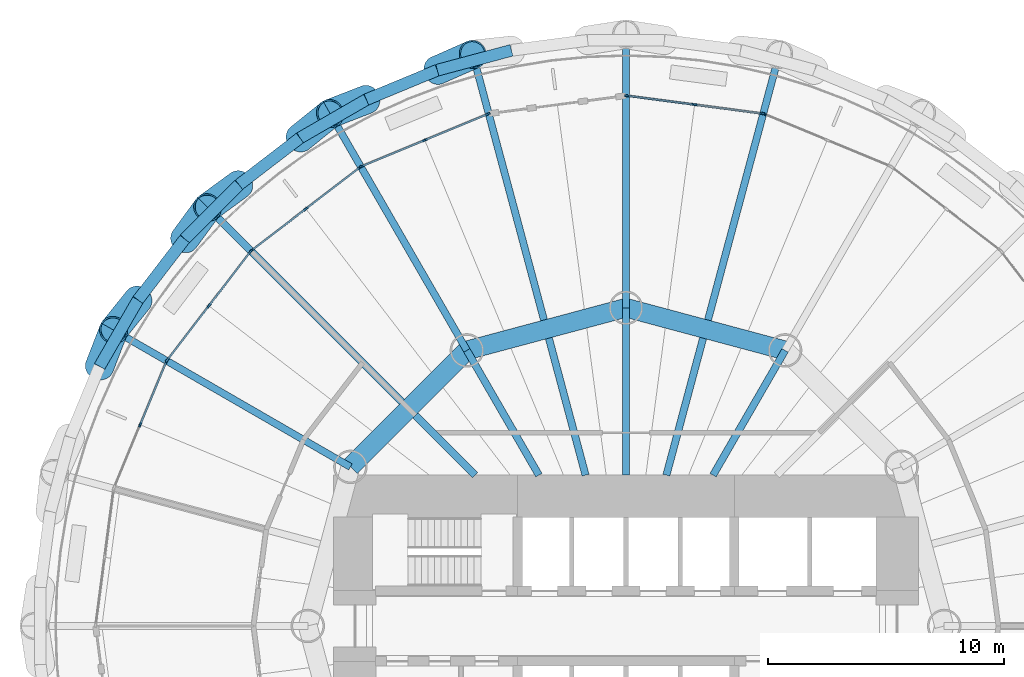
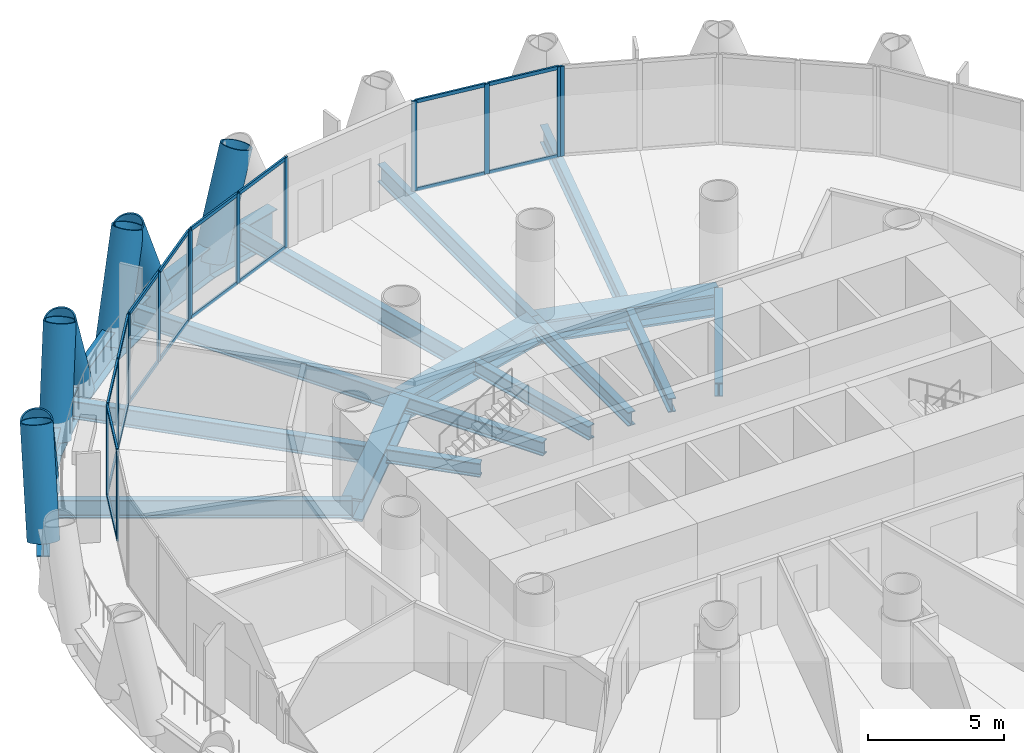
# One storey, part 6 of 16: 40 members, 22 beams, 6 elements without a shape of their own.
"""IFC4 building model written with IfcOpenShell, lengths in metres."""

import ifcopenshell
import ifcopenshell.guid

model = None  # the IFC model being written
_history = None  # IfcOwnerHistory: only IFC2X3 demands one
_inside = {}  # id of a spatial element -> (the spatial element, [elements in it])
_under = {}  # id of a project, library or spatial element -> (it, [spatial elements below it])
_declared = {}  # id of a project -> (the project, [libraries it declares])
_typed = {}  # id of a type object -> (the type object, [elements of that type])
_made_of = {}  # id of a material, layer set ... -> (it, [elements and type objects made of it])


def new_model(schema):
    """Start an empty IFC model of exactly this schema.

    Asked for "IFC4X3", IfcOpenShell would pick the latest addendum, in which some entities
    have other attributes; the version numbers below select the first issue.
    IFC2X3 requires an IfcOwnerHistory on every rooted entity: one is made here for all.
    """
    global model, _history
    if schema == "IFC4X3":
        model = ifcopenshell.file(schema_version=(4, 3, 0, 0))
    else:
        model = ifcopenshell.file(schema=schema)
    _inside.clear()
    _under.clear()
    _declared.clear()
    _typed.clear()
    _made_of.clear()
    _history = None
    if model.schema == "IFC2X3":
        org = make("IfcOrganization", Name="unknown")
        user = make(
            "IfcPersonAndOrganization",
            ThePerson=make("IfcPerson", FamilyName="unknown"),
            TheOrganization=org,
        )
        app = make(
            "IfcApplication",
            ApplicationDeveloper=org,
            Version="unknown",
            ApplicationFullName="unknown",
            ApplicationIdentifier="unknown",
        )
        _history = make(
            "IfcOwnerHistory",
            OwningUser=user,
            OwningApplication=app,
            ChangeAction="ADDED",
            CreationDate=0,
        )
    return model


def make(cls, **values):
    """One entity of the class cls with the attributes given. An attribute that is None is left unset."""
    return model.create_entity(
        cls, **{name: value for name, value in values.items() if value is not None}
    )


def rooted(cls, **values):
    """An entity with a GlobalId (a new one), such as an element, a storey or a relation."""
    return make(cls, GlobalId=ifcopenshell.guid.new(), OwnerHistory=_history, **values)


def si_unit(unit_type, name, prefix=None):
    """IfcSIUnit, for example si_unit("LENGTHUNIT", "METRE", prefix="MILLI")."""
    return make("IfcSIUnit", UnitType=unit_type, Prefix=prefix, Name=name)


def assignment(units):
    """IfcUnitAssignment: the units of a project."""
    return None if units is None else make("IfcUnitAssignment", Units=units)


def point(xyz):
    """IfcCartesianPoint."""
    return None if xyz is None else make("IfcCartesianPoint", Coordinates=xyz)


def direction(xyz):
    """IfcDirection."""
    return None if xyz is None else make("IfcDirection", DirectionRatios=xyz)


def frame(location, z_axis=None, x_axis=None):
    """IfcAxis2Placement3D, a coordinate frame: its origin and axes. An axis left out is left unset."""
    return make(
        "IfcAxis2Placement3D",
        Location=point(location),
        Axis=direction(z_axis),
        RefDirection=direction(x_axis),
    )


def frame_2d(location, x_axis=None):
    """IfcAxis2Placement2D, a coordinate frame in the plane: its origin and x axis."""
    return make(
        "IfcAxis2Placement2D", Location=point(location), RefDirection=direction(x_axis)
    )


def origin():
    """The frame at (0, 0, 0) with its axes left unset."""
    return frame((0.0, 0.0, 0.0))


def origin_2d():
    """The frame at (0, 0) in the plane with its x axis left unset."""
    return frame_2d((0.0, 0.0))


def place(relative_to, where):
    """IfcLocalPlacement: puts the frame where relative to a parent placement (None: the world)."""
    return make(
        "IfcLocalPlacement", PlacementRelTo=relative_to, RelativePlacement=where
    )


def context(
    kind, dimensions, precision=None, world=None, true_north=None, identifier=None
):
    """IfcGeometricRepresentationContext, for example the 3D "Model" context."""
    return make(
        "IfcGeometricRepresentationContext",
        ContextIdentifier=identifier,
        ContextType=kind,
        CoordinateSpaceDimension=dimensions,
        Precision=precision,
        WorldCoordinateSystem=world,
        TrueNorth=true_north,
    )


def subcontext(parent, identifier, kind, view, scale=None):
    """IfcGeometricRepresentationSubContext, for example "Body" below "Model"."""
    return make(
        "IfcGeometricRepresentationSubContext",
        ContextIdentifier=identifier,
        ContextType=kind,
        ParentContext=parent,
        TargetScale=scale,
        TargetView=view,
    )


def project(units=None, contexts=None):
    """IfcProject with its units and contexts."""
    return rooted(
        "IfcProject",
        Name="project",
        RepresentationContexts=contexts,
        UnitsInContext=assignment(units),
    )


def spatial(cls, under=None, at=None, **own):
    """A site, building, storey or space (cls), placed at a placement, below another one or the project."""
    s = rooted(cls, ObjectPlacement=at, **own)
    if under is not None:
        _under.setdefault(under.id(), (under, []))[1].append(s)
    return s


def profile(cls, at=None, kind="AREA", **sizes):
    """A parametric profile (cls). Its sizes go by their IFC names, for example OverallWidth=200.0."""
    return make(cls, ProfileType=kind, Position=at, **sizes)


def rectangle(**sizes):
    """IfcRectangleProfileDef."""
    return profile("IfcRectangleProfileDef", **sizes)


def hollow_circle(**sizes):
    """IfcCircleHollowProfileDef."""
    return profile("IfcCircleHollowProfileDef", **sizes)


def i_section(**sizes):
    """IfcIShapeProfileDef."""
    return profile("IfcIShapeProfileDef", **sizes)


def extrude(swept, where, along, depth):
    """IfcExtrudedAreaSolid: the profile swept, set in the frame where, extruded along a direction by depth."""
    return make(
        "IfcExtrudedAreaSolid",
        SweptArea=swept,
        Position=where,
        ExtrudedDirection=direction(along),
        Depth=depth,
    )


def shape(context_of_items, identifier, shape_type, items):
    """IfcShapeRepresentation: the items that make up one representation, for example the "Body"."""
    return make(
        "IfcShapeRepresentation",
        ContextOfItems=context_of_items,
        RepresentationIdentifier=identifier,
        RepresentationType=shape_type,
        Items=items,
    )


def material(Name=None, Category=None):
    """IfcMaterial."""
    return make("IfcMaterial", Name=Name, Category=Category)


def material_profile(
    of_material, cross_section, Name=None, Category=None, Priority=None
):
    """IfcMaterialProfile: a cross section and its material."""
    return make(
        "IfcMaterialProfile",
        Name=Name,
        Material=of_material,
        Profile=cross_section,
        Priority=Priority,
        Category=Category,
    )


def profile_set(profiles, Name=None, composite=None):
    """IfcMaterialProfileSet."""
    return make(
        "IfcMaterialProfileSet",
        Name=Name,
        MaterialProfiles=profiles,
        CompositeProfile=composite,
    )


def made_of(thing, what):
    """Note that an element or type object is made of a material, layer set ...; save() writes the relation."""
    if what is not None:
        _made_of.setdefault(what.id(), (what, []))[1].append(thing)
    return thing


def type_object(cls, material=None, **own):
    """A type object (cls), such as IfcWallType, which elements share."""
    return made_of(rooted(cls, **own), material)


def element(
    cls,
    number,
    at=None,
    inside=None,
    cuts=None,
    type_object=None,
    material=None,
    context=None,
    identifier="Body",
    shape_type=None,
    held_by="IfcProductDefinitionShape",
    body=None,
    shapes=None,
    **own,
):
    """One element of the class cls, such as IfcWall. Its Tag is "e" and its number.

    at: its placement. inside: the storey or other place that contains it. cuts: it is an
    opening in that element (IfcRelVoidsElement). A single representation is given by context,
    identifier, shape_type and body (its items); several are given by shapes. held_by: the class
    of the entity that holds the representations. save() writes the other relations.
    """
    e = rooted(cls, Tag="e%d" % number, ObjectPlacement=at, **own)
    if body is not None:
        shapes = [shape(context, identifier, shape_type, body)]
    if shapes is not None:
        e.Representation = make(held_by, Representations=shapes)
    if inside is not None:
        _inside.setdefault(inside.id(), (inside, []))[1].append(e)
    if cuts is not None:
        rooted(
            "IfcRelVoidsElement", RelatingBuildingElement=cuts, RelatedOpeningElement=e
        )
    if type_object is not None:
        _typed.setdefault(type_object.id(), (type_object, []))[1].append(e)
    return made_of(e, material)


def aggregate(whole, parts):
    """IfcRelAggregates: a whole, such as a stair, and the parts it consists of."""
    return rooted("IfcRelAggregates", RelatingObject=whole, RelatedObjects=parts)


def save(model, path):
    """Write the relations noted so far, then the file.

    IfcRelAggregates (storeys below a building ...), IfcRelContainedInSpatialStructure (elements
    in a storey), IfcRelDefinesByType, IfcRelAssociatesMaterial and IfcRelDeclares: one each for
    every whole, place, type object, material and project.
    """
    for whole, parts in _under.values():
        aggregate(whole, parts)
    for where, things in _inside.values():
        rooted(
            "IfcRelContainedInSpatialStructure",
            RelatedElements=things,
            RelatingStructure=where,
        )
    for kind, things in _typed.values():
        rooted("IfcRelDefinesByType", RelatedObjects=things, RelatingType=kind)
    for what, things in _made_of.values():
        rooted("IfcRelAssociatesMaterial", RelatedObjects=things, RelatingMaterial=what)
    for by, libraries in _declared.values():
        rooted("IfcRelDeclares", RelatingContext=by, RelatedDefinitions=libraries)
    model.write(path)


model = new_model("IFC4")

# Units and contexts
model_context = context("Model", 3, precision=1e-05, world=origin(), true_north=direction((0.0, 1.0)))
body_context = subcontext(model_context, "Body", "Model", "MODEL_VIEW")
ifc_project = project(units=[si_unit("LENGTHUNIT", "METRE"), si_unit("AREAUNIT", "SQUARE_METRE"), si_unit("VOLUMEUNIT", "CUBIC_METRE"), si_unit("PLANEANGLEUNIT", "RADIAN"), si_unit("MASSUNIT", "GRAM", prefix="KILO")], contexts=[model_context])

# Site, building, storey
site_placement = place(None, origin())
site = spatial("IfcSite", under=ifc_project, at=site_placement, CompositionType="ELEMENT")
building_placement = place(site_placement, origin())
building = spatial("IfcBuilding", under=site, at=building_placement, Name="Qaws Media Tower", CompositionType="ELEMENT")
storey_placement = place(building_placement, frame((0.0, 0.0, 55.39990234375)))
storey = spatial("IfcBuildingStorey", under=building, at=storey_placement, Name="L11", CompositionType="ELEMENT", Elevation=55.39990234375)

# Curtain wall, member
ifc_material_1 = material(Name="Aluminium and clear glass", Category="aluminium")
curtain_wall_type = type_object("IfcCurtainWallType", Name="Unitised curtain wall CW-A", PredefinedType="NOTDEFINED", material=ifc_material_1)
curtain_wall_1_placement = place(storey_placement, origin())
curtain_wall_1 = element("IfcCurtainWall", 1, at=curtain_wall_1_placement, inside=storey, type_object=curtain_wall_type, Name="CWA curtain wall L11-05", PredefinedType="NOTDEFINED")
ifc_material_2 = material(Name="Aluminium mullion", Category="aluminium")
ifc_material_profile_1 = material_profile(ifc_material_2, rectangle(XDim=0.080078125, YDim=0.199951171875, at=origin_2d()), Name="80x200")
ifc_profile_set_1 = profile_set([ifc_material_profile_1], Name="Aluminium mullion")
member_type_1 = type_object("IfcMemberType", Name="Curtain wall mullion 80x200", PredefinedType="MULLION", material=ifc_profile_set_1)
member_1_placement = place(storey_placement, frame((65.8603515625, 71.718017578125, 0.0), z_axis=(0.0, 0.0, 1.0), x_axis=(-0.38268338799, -0.923879550892, 0.0)))
member_1 = element("IfcMember", 2, at=member_1_placement, type_object=member_type_1, Name="CWA mullion 3", PredefinedType="MULLION", context=body_context, shape_type="SweptSolid", body=[
    extrude(rectangle(XDim=0.080078125, YDim=0.199951171875, at=origin_2d()), origin(), (0.0, 0.0, 1.0), 4.0400390625),
])
aggregate(curtain_wall_1, [member_1])

# Curtain wall, members
curtain_wall_2_placement = place(storey_placement, origin())
curtain_wall_2 = element("IfcCurtainWall", 3, at=curtain_wall_2_placement, inside=storey, type_object=curtain_wall_type, Name="CWA curtain wall L11-06", PredefinedType="NOTDEFINED")
member_2_placement = place(storey_placement, frame((65.78369140625, 71.738525390625, 0.0), z_axis=(0.0, 0.0, 1.0), x_axis=(-0.13052619684, -0.991444860766, 0.0)))
member_2 = element("IfcMember", 4, at=member_2_placement, type_object=member_type_1, Name="CWA mullion 1", PredefinedType="MULLION", context=body_context, shape_type="SweptSolid", body=[
    extrude(rectangle(XDim=0.080078125, YDim=0.199951171875, at=origin_2d()), origin(), (0.0, 0.0, 1.0), 4.0400390625),
])
member_3_placement = place(storey_placement, frame((62.91162109375, 72.11669921875, 0.0), z_axis=(0.0, 0.0, 1.0), x_axis=(-0.13052619684, -0.991444860766, 0.0)))
member_3 = element("IfcMember", 5, at=member_3_placement, type_object=member_type_1, Name="CWA mullion 2", PredefinedType="MULLION", context=body_context, shape_type="SweptSolid", body=[
    extrude(rectangle(XDim=0.080078125, YDim=0.199951171875, at=origin_2d()), origin(), (0.0, 0.0, 1.0), 4.0400390625),
])
member_4_placement = place(storey_placement, frame((60.03955078125, 72.494873046875, 0.0), z_axis=(0.0, 0.0, 1.0), x_axis=(-0.13052619684, -0.991444860766, 0.0)))
member_4 = element("IfcMember", 6, at=member_4_placement, type_object=member_type_1, Name="CWA mullion 3", PredefinedType="MULLION", context=body_context, shape_type="SweptSolid", body=[
    extrude(rectangle(XDim=0.080078125, YDim=0.199951171875, at=origin_2d()), origin(), (0.0, 0.0, 1.0), 4.0400390625),
])

curtain_wall_3_placement = place(storey_placement, origin())
curtain_wall_3 = element("IfcCurtainWall", 7, at=curtain_wall_3_placement, inside=storey, type_object=curtain_wall_type, Name="CWA curtain wall L11-08", PredefinedType="NOTDEFINED")
member_5_placement = place(storey_placement, frame((54.1396484375, 71.718017578125, 0.0), z_axis=(0.0, 0.0, 1.0), x_axis=(0.38268338799, -0.923879550892, 0.0)))
member_5 = element("IfcMember", 8, at=member_5_placement, type_object=member_type_1, Name="CWA mullion 1", PredefinedType="MULLION", context=body_context, shape_type="SweptSolid", body=[
    extrude(rectangle(XDim=0.080078125, YDim=0.199951171875, at=origin_2d()), origin(), (0.0, 0.0, 1.0), 4.0400390625),
])
member_6_placement = place(storey_placement, frame((51.46337890625, 70.609375, 0.0), z_axis=(0.0, 0.0, 1.0), x_axis=(0.38268338799, -0.923879550892, 0.0)))
member_6 = element("IfcMember", 9, at=member_6_placement, type_object=member_type_1, Name="CWA mullion 2", PredefinedType="MULLION", context=body_context, shape_type="SweptSolid", body=[
    extrude(rectangle(XDim=0.080078125, YDim=0.199951171875, at=origin_2d()), origin(), (0.0, 0.0, 1.0), 4.0400390625),
])
member_7_placement = place(storey_placement, frame((48.786865234375, 69.5009765625, 0.0), z_axis=(0.0, 0.0, 1.0), x_axis=(0.38268338799, -0.923879550892, 0.0)))
member_7 = element("IfcMember", 10, at=member_7_placement, type_object=member_type_1, Name="CWA mullion 3", PredefinedType="MULLION", context=body_context, shape_type="SweptSolid", body=[
    extrude(rectangle(XDim=0.080078125, YDim=0.199951171875, at=origin_2d()), origin(), (0.0, 0.0, 1.0), 4.0400390625),
])

curtain_wall_4_placement = place(storey_placement, origin())
curtain_wall_4 = element("IfcCurtainWall", 11, at=curtain_wall_4_placement, inside=storey, type_object=curtain_wall_type, Name="CWA curtain wall L11-09", PredefinedType="NOTDEFINED")
member_8_placement = place(storey_placement, frame((48.71826171875, 69.461181640625, 0.0), z_axis=(0.0, 0.0, 1.0), x_axis=(0.608761393298, -0.793353367693, 0.0)))
member_8 = element("IfcMember", 12, at=member_8_placement, type_object=member_type_1, Name="CWA mullion 1", PredefinedType="MULLION", context=body_context, shape_type="SweptSolid", body=[
    extrude(rectangle(XDim=0.080078125, YDim=0.199951171875, at=origin_2d()), origin(), (0.0, 0.0, 1.0), 4.0400390625),
])
member_9_placement = place(storey_placement, frame((46.420166015625, 67.69775390625, 0.0), z_axis=(0.0, 0.0, 1.0), x_axis=(0.608761393298, -0.793353367693, 0.0)))
member_9 = element("IfcMember", 13, at=member_9_placement, type_object=member_type_1, Name="CWA mullion 2", PredefinedType="MULLION", context=body_context, shape_type="SweptSolid", body=[
    extrude(rectangle(XDim=0.080078125, YDim=0.199951171875, at=origin_2d()), origin(), (0.0, 0.0, 1.0), 4.0400390625),
])
member_10_placement = place(storey_placement, frame((44.121826171875, 65.934326171875, 0.0), z_axis=(0.0, 0.0, 1.0), x_axis=(0.608761393298, -0.793353367693, 0.0)))
member_10 = element("IfcMember", 14, at=member_10_placement, type_object=member_type_1, Name="CWA mullion 3", PredefinedType="MULLION", context=body_context, shape_type="SweptSolid", body=[
    extrude(rectangle(XDim=0.080078125, YDim=0.199951171875, at=origin_2d()), origin(), (0.0, 0.0, 1.0), 4.0400390625),
])

curtain_wall_5_placement = place(storey_placement, origin())
curtain_wall_5 = element("IfcCurtainWall", 15, at=curtain_wall_5_placement, inside=storey, type_object=curtain_wall_type, Name="CWA curtain wall L11-10", PredefinedType="NOTDEFINED")
member_11_placement = place(storey_placement, frame((44.065673828125, 65.878173828125, 0.0), z_axis=(0.0, 0.0, 1.0), x_axis=(0.793353367693, -0.608761393298, 0.0)))
member_11 = element("IfcMember", 16, at=member_11_placement, type_object=member_type_1, Name="CWA mullion 1", PredefinedType="MULLION", context=body_context, shape_type="SweptSolid", body=[
    extrude(rectangle(XDim=0.080078125, YDim=0.199951171875, at=origin_2d()), origin(), (0.0, 0.0, 1.0), 4.0400390625),
])
member_12_placement = place(storey_placement, frame((42.30224609375, 63.579833984375, 0.0), z_axis=(0.0, 0.0, 1.0), x_axis=(0.793353367693, -0.608761393298, 0.0)))
member_12 = element("IfcMember", 17, at=member_12_placement, type_object=member_type_1, Name="CWA mullion 2", PredefinedType="MULLION", context=body_context, shape_type="SweptSolid", body=[
    extrude(rectangle(XDim=0.080078125, YDim=0.199951171875, at=origin_2d()), origin(), (0.0, 0.0, 1.0), 4.0400390625),
])
member_13_placement = place(storey_placement, frame((40.538818359375, 61.28173828125, 0.0), z_axis=(0.0, 0.0, 1.0), x_axis=(0.793353367693, -0.608761393298, 0.0)))
member_13 = element("IfcMember", 18, at=member_13_placement, type_object=member_type_1, Name="CWA mullion 3", PredefinedType="MULLION", context=body_context, shape_type="SweptSolid", body=[
    extrude(rectangle(XDim=0.080078125, YDim=0.199951171875, at=origin_2d()), origin(), (0.0, 0.0, 1.0), 4.0400390625),
])

curtain_wall_6_placement = place(storey_placement, origin())
curtain_wall_6 = element("IfcCurtainWall", 19, at=curtain_wall_6_placement, inside=storey, type_object=curtain_wall_type, Name="CWA curtain wall L11-11", PredefinedType="NOTDEFINED")
member_14_placement = place(storey_placement, frame((40.4990234375, 61.213134765625, 0.0), z_axis=(0.0, 0.0, 1.0), x_axis=(0.923879550892, -0.38268338799, 0.0)))
member_14 = element("IfcMember", 20, at=member_14_placement, type_object=member_type_1, Name="CWA mullion 1", PredefinedType="MULLION", context=body_context, shape_type="SweptSolid", body=[
    extrude(rectangle(XDim=0.080078125, YDim=0.199951171875, at=origin_2d()), origin(), (0.0, 0.0, 1.0), 4.0400390625),
])
member_15_placement = place(storey_placement, frame((39.390625, 58.53662109375, 0.0), z_axis=(0.0, 0.0, 1.0), x_axis=(0.923879550892, -0.38268338799, 0.0)))
member_15 = element("IfcMember", 21, at=member_15_placement, type_object=member_type_1, Name="CWA mullion 2", PredefinedType="MULLION", context=body_context, shape_type="SweptSolid", body=[
    extrude(rectangle(XDim=0.080078125, YDim=0.199951171875, at=origin_2d()), origin(), (0.0, 0.0, 1.0), 4.0400390625),
])

# Member
ifc_material_3 = material(Name="Aluminium transom", Category="aluminium")
ifc_material_profile_2 = material_profile(ifc_material_3, rectangle(XDim=0.080078125, YDim=0.159912109375, at=origin_2d()), Name="80x160")
ifc_profile_set_2 = profile_set([ifc_material_profile_2], Name="Aluminium transom")
member_type_2 = type_object("IfcMemberType", Name="Curtain wall transom 80x160", PredefinedType="USERDEFINED", material=ifc_profile_set_2)
member_16_placement = place(storey_placement, frame((65.744140625, 71.74365234375, 0.0400390625), z_axis=(-0.991444557635, 0.130528499327, 0.0), x_axis=(-0.130528499327, -0.991444557635, 0.0)))
member_16 = element("IfcMember", 22, at=member_16_placement, type_object=member_type_2, Name="CWA transom 1.1", ObjectType="TRANSOM", PredefinedType="USERDEFINED", context=body_context, shape_type="SweptSolid", body=[
    extrude(rectangle(XDim=0.080078125, YDim=0.159912109375, at=origin_2d()), origin(), (0.0, 0.0, 1.0), 2.81689453125),
])

member_17_placement = place(storey_placement, frame((65.744140625, 71.74365234375, 4.0), z_axis=(-0.991444557635, 0.130528499327, 0.0), x_axis=(-0.130528499327, -0.991444557635, 0.0)))
member_17 = element("IfcMember", 23, at=member_17_placement, type_object=member_type_2, Name="CWA transom 1.2", ObjectType="TRANSOM", PredefinedType="USERDEFINED", context=body_context, shape_type="SweptSolid", body=[
    extrude(rectangle(XDim=0.080078125, YDim=0.159912109375, at=origin_2d()), origin(), (0.0, 0.0, 1.0), 2.81689453125),
])

member_18_placement = place(storey_placement, frame((62.8720703125, 72.121826171875, 0.0400390625), z_axis=(-0.991444557635, 0.130528499327, 0.0), x_axis=(-0.130528499327, -0.991444557635, 0.0)))
member_18 = element("IfcMember", 24, at=member_18_placement, type_object=member_type_2, Name="CWA transom 2.1", ObjectType="TRANSOM", PredefinedType="USERDEFINED", context=body_context, shape_type="SweptSolid", body=[
    extrude(rectangle(XDim=0.080078125, YDim=0.159912109375, at=origin_2d()), origin(), (0.0, 0.0, 1.0), 2.81689453125),
])

member_19_placement = place(storey_placement, frame((62.8720703125, 72.121826171875, 4.0), z_axis=(-0.991444557635, 0.130528499327, 0.0), x_axis=(-0.130528499327, -0.991444557635, 0.0)))
member_19 = element("IfcMember", 25, at=member_19_placement, type_object=member_type_2, Name="CWA transom 2.2", ObjectType="TRANSOM", PredefinedType="USERDEFINED", context=body_context, shape_type="SweptSolid", body=[
    extrude(rectangle(XDim=0.080078125, YDim=0.159912109375, at=origin_2d()), origin(), (0.0, 0.0, 1.0), 2.81689453125),
])

aggregate(curtain_wall_2, [member_2, member_3, member_4, member_16, member_17, member_18, member_19])

member_20_placement = place(storey_placement, frame((54.1025390625, 71.70263671875, 0.0400390625), z_axis=(-0.923882669313, -0.382675859369, 0.0), x_axis=(0.382675859369, -0.923882669313, 0.0)))
member_20 = element("IfcMember", 26, at=member_20_placement, type_object=member_type_2, Name="CWA transom 1.1", ObjectType="TRANSOM", PredefinedType="USERDEFINED", context=body_context, shape_type="SweptSolid", body=[
    extrude(rectangle(XDim=0.080078125, YDim=0.159912109375, at=origin_2d()), origin(), (0.0, 0.0, 1.0), 2.816650390625),
])

member_21_placement = place(storey_placement, frame((54.1025390625, 71.70263671875, 4.0), z_axis=(-0.923882669313, -0.382675859369, 0.0), x_axis=(0.382675859369, -0.923882669313, 0.0)))
member_21 = element("IfcMember", 27, at=member_21_placement, type_object=member_type_2, Name="CWA transom 1.2", ObjectType="TRANSOM", PredefinedType="USERDEFINED", context=body_context, shape_type="SweptSolid", body=[
    extrude(rectangle(XDim=0.080078125, YDim=0.159912109375, at=origin_2d()), origin(), (0.0, 0.0, 1.0), 2.816650390625),
])

member_22_placement = place(storey_placement, frame((51.42626953125, 70.59423828125, 0.0400390625), z_axis=(-0.92385202317, -0.382749839039, 0.0), x_axis=(0.382749839039, -0.92385202317, 0.0)))
member_22 = element("IfcMember", 28, at=member_22_placement, type_object=member_type_2, Name="CWA transom 2.1", ObjectType="TRANSOM", PredefinedType="USERDEFINED", context=body_context, shape_type="SweptSolid", body=[
    extrude(rectangle(XDim=0.080078125, YDim=0.159912109375, at=origin_2d()), origin(), (0.0, 0.0, 1.0), 2.81689453125),
])

member_23_placement = place(storey_placement, frame((51.42626953125, 70.59423828125, 4.0), z_axis=(-0.92385202317, -0.382749839039, 0.0), x_axis=(0.382749839039, -0.92385202317, 0.0)))
member_23 = element("IfcMember", 29, at=member_23_placement, type_object=member_type_2, Name="CWA transom 2.2", ObjectType="TRANSOM", PredefinedType="USERDEFINED", context=body_context, shape_type="SweptSolid", body=[
    extrude(rectangle(XDim=0.080078125, YDim=0.159912109375, at=origin_2d()), origin(), (0.0, 0.0, 1.0), 2.81689453125),
])

aggregate(curtain_wall_3, [member_5, member_6, member_7, member_20, member_21, member_22, member_23])

member_24_placement = place(storey_placement, frame((48.6865234375, 69.436767578125, 0.0400390625), z_axis=(-0.793367737451, -0.608742665806, 0.0), x_axis=(0.608742665806, -0.793367737451, 0.0)))
member_24 = element("IfcMember", 30, at=member_24_placement, type_object=member_type_2, Name="CWA transom 1.1", ObjectType="TRANSOM", PredefinedType="USERDEFINED", context=body_context, shape_type="SweptSolid", body=[
    extrude(rectangle(XDim=0.080078125, YDim=0.159912109375, at=origin_2d()), origin(), (0.0, 0.0, 1.0), 2.816650390625),
])

member_25_placement = place(storey_placement, frame((48.6865234375, 69.436767578125, 4.0), z_axis=(-0.793367737451, -0.608742665806, 0.0), x_axis=(0.608742665806, -0.793367737451, 0.0)))
member_25 = element("IfcMember", 31, at=member_25_placement, type_object=member_type_2, Name="CWA transom 1.2", ObjectType="TRANSOM", PredefinedType="USERDEFINED", context=body_context, shape_type="SweptSolid", body=[
    extrude(rectangle(XDim=0.080078125, YDim=0.159912109375, at=origin_2d()), origin(), (0.0, 0.0, 1.0), 2.816650390625),
])

member_26_placement = place(storey_placement, frame((46.388427734375, 67.67333984375, 0.0400390625), z_axis=(-0.793357996817, -0.608755360459, 0.0), x_axis=(0.608755360459, -0.793357996817, 0.0)))
member_26 = element("IfcMember", 32, at=member_26_placement, type_object=member_type_2, Name="CWA transom 2.1", ObjectType="TRANSOM", PredefinedType="USERDEFINED", context=body_context, shape_type="SweptSolid", body=[
    extrude(rectangle(XDim=0.080078125, YDim=0.159912109375, at=origin_2d()), origin(), (0.0, 0.0, 1.0), 2.81689453125),
])

member_27_placement = place(storey_placement, frame((46.388427734375, 67.67333984375, 4.0), z_axis=(-0.793357996817, -0.608755360459, 0.0), x_axis=(0.608755360459, -0.793357996817, 0.0)))
member_27 = element("IfcMember", 33, at=member_27_placement, type_object=member_type_2, Name="CWA transom 2.2", ObjectType="TRANSOM", PredefinedType="USERDEFINED", context=body_context, shape_type="SweptSolid", body=[
    extrude(rectangle(XDim=0.080078125, YDim=0.159912109375, at=origin_2d()), origin(), (0.0, 0.0, 1.0), 2.81689453125),
])

aggregate(curtain_wall_4, [member_8, member_9, member_10, member_24, member_25, member_26, member_27])

member_28_placement = place(storey_placement, frame((44.04150390625, 65.846435546875, 0.0400390625), z_axis=(-0.608755360459, -0.793357996817, 0.0), x_axis=(0.793357996817, -0.608755360459, 0.0)))
member_28 = element("IfcMember", 34, at=member_28_placement, type_object=member_type_2, Name="CWA transom 1.1", ObjectType="TRANSOM", PredefinedType="USERDEFINED", context=body_context, shape_type="SweptSolid", body=[
    extrude(rectangle(XDim=0.080078125, YDim=0.159912109375, at=origin_2d()), origin(), (0.0, 0.0, 1.0), 2.81689453125),
])

member_29_placement = place(storey_placement, frame((44.04150390625, 65.846435546875, 4.0), z_axis=(-0.608755360459, -0.793357996817, 0.0), x_axis=(0.793357996817, -0.608755360459, 0.0)))
member_29 = element("IfcMember", 35, at=member_29_placement, type_object=member_type_2, Name="CWA transom 1.2", ObjectType="TRANSOM", PredefinedType="USERDEFINED", context=body_context, shape_type="SweptSolid", body=[
    extrude(rectangle(XDim=0.080078125, YDim=0.159912109375, at=origin_2d()), origin(), (0.0, 0.0, 1.0), 2.81689453125),
])

member_30_placement = place(storey_placement, frame((42.27783203125, 63.548095703125, 0.0400390625), z_axis=(-0.608742665806, -0.793367737451, 0.0), x_axis=(0.793367737451, -0.608742665806, 0.0)))
member_30 = element("IfcMember", 36, at=member_30_placement, type_object=member_type_2, Name="CWA transom 2.1", ObjectType="TRANSOM", PredefinedType="USERDEFINED", context=body_context, shape_type="SweptSolid", body=[
    extrude(rectangle(XDim=0.080078125, YDim=0.159912109375, at=origin_2d()), origin(), (0.0, 0.0, 1.0), 2.816650390625),
])

member_31_placement = place(storey_placement, frame((42.27783203125, 63.548095703125, 4.0), z_axis=(-0.608742665806, -0.793367737451, 0.0), x_axis=(0.793367737451, -0.608742665806, 0.0)))
member_31 = element("IfcMember", 37, at=member_31_placement, type_object=member_type_2, Name="CWA transom 2.2", ObjectType="TRANSOM", PredefinedType="USERDEFINED", context=body_context, shape_type="SweptSolid", body=[
    extrude(rectangle(XDim=0.080078125, YDim=0.159912109375, at=origin_2d()), origin(), (0.0, 0.0, 1.0), 2.816650390625),
])

aggregate(curtain_wall_5, [member_11, member_12, member_13, member_28, member_29, member_30, member_31])

member_32_placement = place(storey_placement, frame((40.48388671875, 61.176025390625, 0.0400390625), z_axis=(-0.382749839039, -0.92385202317, 0.0), x_axis=(0.92385202317, -0.382749839039, 0.0)))
member_32 = element("IfcMember", 38, at=member_32_placement, type_object=member_type_2, Name="CWA transom 1.1", ObjectType="TRANSOM", PredefinedType="USERDEFINED", context=body_context, shape_type="SweptSolid", body=[
    extrude(rectangle(XDim=0.080078125, YDim=0.159912109375, at=origin_2d()), origin(), (0.0, 0.0, 1.0), 2.81689453125),
])

member_33_placement = place(storey_placement, frame((40.48388671875, 61.176025390625, 4.0), z_axis=(-0.382749839039, -0.92385202317, 0.0), x_axis=(0.92385202317, -0.382749839039, 0.0)))
member_33 = element("IfcMember", 39, at=member_33_placement, type_object=member_type_2, Name="CWA transom 1.2", ObjectType="TRANSOM", PredefinedType="USERDEFINED", context=body_context, shape_type="SweptSolid", body=[
    extrude(rectangle(XDim=0.080078125, YDim=0.159912109375, at=origin_2d()), origin(), (0.0, 0.0, 1.0), 2.81689453125),
])

aggregate(curtain_wall_6, [member_14, member_15, member_32, member_33])

# Members
ifc_material_4 = material(Name="Steel S460", Category="steel")
ifc_material_profile_3 = material_profile(ifc_material_4, hollow_circle(Radius=0.609619140625, WallThickness=0.06005859375, at=origin_2d()), Name="CHS 1219x60")
ifc_profile_set_3 = profile_set([ifc_material_profile_3], Name="Steel S460")
member_type_3 = type_object("IfcMemberType", Name="Diagrid member CHS 1219x60", PredefinedType="USERDEFINED", material=ifc_profile_set_3)
for number, where, z_axis, x_axis, name in (
    (40, (48.987060546875, 72.33203125, -0.909912109375), (-0.340689388047, -0.131816923329, 0.930889380967), (0.360844493393, -0.932625997701, 0.0), "DG1 diagrid L11 A08"),
    (41, (51.99609375, 73.57861328125, -0.909912109375), (0.334142371102, 0.147617876658, 0.930890884221), (-0.404103321219, 0.914713346235, 0.0), "DG1 diagrid L11 B08"),
    (42, (43.582275390625, 68.720703125, -0.909912109375), (-0.294913593488, -0.215530429883, 0.93089881629), (0.590046302891, -0.807369407672, 0.0), "DG1 diagrid L11 A09"),
    (43, (46.166259765625, 70.70361328125, -0.909912109375), (0.28452125642, 0.229110498228, 0.930889915214), (-0.627184793014, 0.778870486931, 0.0), "DG1 diagrid L11 B09"),
    (44, (39.29638671875, 63.833740234375, -0.909912109375), (-0.229110498228, -0.28452125642, 0.930889915214), (0.778870486931, -0.627184793014, 0.0), "DG1 diagrid L11 A10"),
    (45, (41.279296875, 66.417724609375, -0.909912109375), (0.215530429883, 0.294913593488, 0.93089881629), (-0.807369407672, 0.590046302891, 0.0), "DG1 diagrid L11 B10"),
    (46, (37.66796875, 61.012939453125, -0.909912109375), (0.131816923329, 0.340689388047, 0.930889380967), (-0.932625997701, 0.360844493393, 0.0), "DG1 diagrid L11 B11"),
):
    element("IfcMember", number, at=place(storey_placement, frame(where, z_axis=z_axis, x_axis=x_axis)), inside=storey, type_object=member_type_3, Name=name, ObjectType="DIAGRID", PredefinedType="USERDEFINED", context=body_context, shape_type="SweptSolid", body=[
        extrude(hollow_circle(Radius=0.609619140625, WallThickness=0.06005859375, at=origin_2d()), origin(), (0.0, 0.0, 1.0), 4.51171875),
    ])

# Beams
ifc_material_5 = material(Name="Steel S460", Category="steel")
ifc_material_profile_4 = material_profile(ifc_material_5, i_section(OverallWidth=0.5, OverallDepth=1.5, WebThickness=0.02001953125, FlangeThickness=0.0400390625, at=origin_2d()), Name="PG 1500x500")
ifc_profile_set_4 = profile_set([ifc_material_profile_4], Name="Steel S460")
beam_type_1 = type_object("IfcBeamType", Name="Edge ring beam PG 1500x500", PredefinedType="BEAM", material=ifc_profile_set_4)
beam_1_placement = place(storey_placement, frame((55.142333984375, 74.421630859375, -0.909912109375), z_axis=(-0.965926973873, -0.258814762224, 0.0), x_axis=(0.258814762224, -0.965926973873, 0.0)))
element("IfcBeam", 47, at=beam_1_placement, inside=storey, type_object=beam_type_1, Name="RB4 edge ring beam L11-14", PredefinedType="BEAM", context=body_context, shape_type="SweptSolid", body=[
    extrude(i_section(OverallWidth=0.5, OverallDepth=1.5, WebThickness=0.02001953125, FlangeThickness=0.0400390625, at=origin_2d()), origin(), (0.0, 0.0, 1.0), 3.25732421875),
])
for number, where, z_axis, x_axis, name in (
    (48, (51.99609375, 73.57861328125, -0.909912109375), (-0.923857856805, -0.382735757959, 0.0), (0.382735757959, -0.923857856805, 0.0), "RB4 edge ring beam L11-15"),
    (49, (48.987060546875, 72.33203125, -0.909912109375), (-0.8660482855, -0.499960365612, 0.0), (0.499960365612, -0.8660482855, 0.0), "RB4 edge ring beam L11-16"),
    (50, (46.166259765625, 70.70361328125, -0.909912109375), (-0.793331215298, -0.608790261777, 0.0), (0.608790261777, -0.793331215298, 0.0), "RB4 edge ring beam L11-17"),
):
    element("IfcBeam", number, at=place(storey_placement, frame(where, z_axis=z_axis, x_axis=x_axis)), inside=storey, type_object=beam_type_1, Name=name, PredefinedType="BEAM", context=body_context, shape_type="SweptSolid", body=[
        extrude(i_section(OverallWidth=0.5, OverallDepth=1.5, WebThickness=0.02001953125, FlangeThickness=0.0400390625, at=origin_2d()), origin(), (0.0, 0.0, 1.0), 3.257080078125),
    ])
beam_2_placement = place(storey_placement, frame((43.582275390625, 68.720703125, -0.909912109375), z_axis=(-0.707106781187, -0.707106781187, 0.0), x_axis=(0.707106781187, -0.707106781187, 0.0)))
element("IfcBeam", 51, at=beam_2_placement, inside=storey, type_object=beam_type_1, Name="RB4 edge ring beam L11-18", PredefinedType="BEAM", context=body_context, shape_type="SweptSolid", body=[
    extrude(i_section(OverallWidth=0.5, OverallDepth=1.5, WebThickness=0.02001953125, FlangeThickness=0.0400390625, at=origin_2d()), origin(), (0.0, 0.0, 1.0), 3.2568359375),
])
for number, where, z_axis, x_axis, name in (
    (52, (41.279296875, 66.417724609375, -0.909912109375), (-0.608790261777, -0.793331215298, 0.0), (0.793331215298, -0.608790261777, 0.0), "RB4 edge ring beam L11-19"),
    (53, (39.29638671875, 63.833740234375, -0.909912109375), (-0.499960365612, -0.8660482855, 0.0), (0.8660482855, -0.499960365612, 0.0), "RB4 edge ring beam L11-20"),
):
    element("IfcBeam", number, at=place(storey_placement, frame(where, z_axis=z_axis, x_axis=x_axis)), inside=storey, type_object=beam_type_1, Name=name, PredefinedType="BEAM", context=body_context, shape_type="SweptSolid", body=[
        extrude(i_section(OverallWidth=0.5, OverallDepth=1.5, WebThickness=0.02001953125, FlangeThickness=0.0400390625, at=origin_2d()), origin(), (0.0, 0.0, 1.0), 3.257080078125),
    ])
ifc_material_6 = material(Name="Steel S460", Category="steel")
ifc_material_profile_5 = material_profile(ifc_material_6, i_section(OverallWidth=0.800048828125, OverallDepth=1.0, WebThickness=0.0400390625, FlangeThickness=0.10009765625, at=origin_2d()), Name="PG 1000x800")
ifc_profile_set_5 = profile_set([ifc_material_profile_5], Name="Steel S460")
beam_type_2 = type_object("IfcBeamType", Name="Inner ring girder PG 1000x800", PredefinedType="BEAM", material=ifc_profile_set_5)
for number, where, z_axis, x_axis, name in (
    (54, (66.75, 61.69140625, -0.659912109375), (-0.965928090778, 0.258810593767, 0.0), (-0.258810593767, -0.965928090778, 0.0), "B3 inner ring beam L11 I03-I04"),
    (55, (60.0, 63.5, -0.659912109375), (-0.965928090778, -0.258810593767, 0.0), (0.258810593767, -0.965928090778, 0.0), "B3 inner ring beam L11 I04-I05"),
):
    element("IfcBeam", number, at=place(storey_placement, frame(where, z_axis=z_axis, x_axis=x_axis)), inside=storey, type_object=beam_type_2, Name=name, PredefinedType="BEAM", context=body_context, shape_type="SweptSolid", body=[
        extrude(i_section(OverallWidth=0.800048828125, OverallDepth=1.0, WebThickness=0.0400390625, FlangeThickness=0.10009765625, at=origin_2d()), origin(), (0.0, 0.0, 1.0), 6.988037109375),
    ])
beam_3_placement = place(storey_placement, frame((53.25, 61.69140625, -0.659912109375), z_axis=(-0.707106781187, -0.707106781187, 0.0), x_axis=(0.707106781187, -0.707106781187, 0.0)))
element("IfcBeam", 56, at=beam_3_placement, inside=storey, type_object=beam_type_2, Name="B3 inner ring beam L11 I05-I06", PredefinedType="BEAM", context=body_context, shape_type="SweptSolid", body=[
    extrude(i_section(OverallWidth=0.800048828125, OverallDepth=1.0, WebThickness=0.0400390625, FlangeThickness=0.10009765625, at=origin_2d()), origin(), (0.0, 0.0, 1.0), 6.98828125),
])
ifc_material_7 = material(Name="Steel S355", Category="steel")
ifc_material_profile_6 = material_profile(ifc_material_7, i_section(OverallWidth=0.304931640625, OverallDepth=0.6201171875, WebThickness=0.02099609375, FlangeThickness=0.0400390625, FilletRadius=0.027099609375, at=origin_2d()), Name="HE 600 M")
ifc_profile_set_6 = profile_set([ifc_material_profile_6], Name="Steel S355")
beam_type_3 = type_object("IfcBeamType", Name="Radial beam HE 600 M, core side", PredefinedType="BEAM", material=ifc_profile_set_6)
beam_4_placement = place(storey_placement, frame((63.695068359375, 56.39990234375, -0.469970703125), z_axis=(0.49998532359, 0.866033877048, 0.0), x_axis=(-0.866033877048, 0.49998532359, 0.0)))
element("IfcBeam", 57, at=beam_4_placement, inside=storey, type_object=beam_type_3, Name="B2 radial beam L11 05", PredefinedType="BEAM", context=body_context, shape_type="SweptSolid", body=[
    extrude(i_section(OverallWidth=0.304931640625, OverallDepth=0.6201171875, WebThickness=0.02099609375, FlangeThickness=0.0400390625, FilletRadius=0.027099609375, at=origin_2d()), origin(), (0.0, 0.0, 1.0), 6.110107421875),
])
beam_5_placement = place(storey_placement, frame((61.71484375, 56.39990234375, -0.469970703125), z_axis=(0.258824687089, 0.965924314506, 0.0), x_axis=(-0.965924314506, 0.258824687089, 0.0)))
element("IfcBeam", 58, at=beam_5_placement, inside=storey, type_object=beam_type_3, Name="B2 radial beam L11 06", PredefinedType="BEAM", context=body_context, shape_type="SweptSolid", body=[
    extrude(i_section(OverallWidth=0.304931640625, OverallDepth=0.6201171875, WebThickness=0.02099609375, FlangeThickness=0.0400390625, FilletRadius=0.027099609375, at=origin_2d()), origin(), (0.0, 0.0, 1.0), 6.01416015625),
])
beam_6_placement = place(storey_placement, frame((60.0, 56.39990234375, -0.469970703125), z_axis=(0.0, 1.0, 0.0), x_axis=(-1.0, 0.0, 0.0)))
element("IfcBeam", 59, at=beam_6_placement, inside=storey, type_object=beam_type_3, Name="B2 radial beam L11 07", PredefinedType="BEAM", context=body_context, shape_type="SweptSolid", body=[
    extrude(i_section(OverallWidth=0.304931640625, OverallDepth=0.6201171875, WebThickness=0.02099609375, FlangeThickness=0.0400390625, FilletRadius=0.027099609375, at=origin_2d()), origin(), (0.0, 0.0, 1.0), 7.10009765625),
])
beam_7_placement = place(storey_placement, frame((58.28515625, 56.39990234375, -0.469970703125), z_axis=(-0.258824687089, 0.965924314506, 0.0), x_axis=(-0.965924314506, -0.258824687089, 0.0)))
element("IfcBeam", 60, at=beam_7_placement, inside=storey, type_object=beam_type_3, Name="B2 radial beam L11 08", PredefinedType="BEAM", context=body_context, shape_type="SweptSolid", body=[
    extrude(i_section(OverallWidth=0.304931640625, OverallDepth=0.6201171875, WebThickness=0.02099609375, FlangeThickness=0.0400390625, FilletRadius=0.027099609375, at=origin_2d()), origin(), (0.0, 0.0, 1.0), 6.01416015625),
])
beam_8_placement = place(storey_placement, frame((56.304931640625, 56.39990234375, -0.469970703125), z_axis=(-0.49998532359, 0.866033877048, 0.0), x_axis=(-0.866033877048, -0.49998532359, 0.0)))
element("IfcBeam", 61, at=beam_8_placement, inside=storey, type_object=beam_type_3, Name="B2 radial beam L11 09", PredefinedType="BEAM", context=body_context, shape_type="SweptSolid", body=[
    extrude(i_section(OverallWidth=0.304931640625, OverallDepth=0.6201171875, WebThickness=0.02099609375, FlangeThickness=0.0400390625, FilletRadius=0.027099609375, at=origin_2d()), origin(), (0.0, 0.0, 1.0), 6.110107421875),
])
beam_9_placement = place(storey_placement, frame((53.60009765625, 56.39990234375, -0.469970703125), z_axis=(-0.707106781187, 0.707106781187, 0.0), x_axis=(-0.707106781187, -0.707106781187, 0.0)))
element("IfcBeam", 62, at=beam_9_placement, inside=storey, type_object=beam_type_3, Name="B2 radial beam L11 10", PredefinedType="BEAM", context=body_context, shape_type="SweptSolid", body=[
    extrude(i_section(OverallWidth=0.304931640625, OverallDepth=0.6201171875, WebThickness=0.02099609375, FlangeThickness=0.0400390625, FilletRadius=0.027099609375, at=origin_2d()), origin(), (0.0, 0.0, 1.0), 3.589111328125),
])
ifc_material_8 = material(Name="Steel S355", Category="steel")
ifc_material_profile_7 = material_profile(ifc_material_8, i_section(OverallWidth=0.300048828125, OverallDepth=0.800048828125, WebThickness=0.017578125, FlangeThickness=0.032958984375, FilletRadius=0.030029296875, at=origin_2d()), Name="HE 800 B")
ifc_profile_set_7 = profile_set([ifc_material_profile_7], Name="Steel S355")
beam_type_4 = type_object("IfcBeamType", Name="Radial beam HE 800 B", PredefinedType="BEAM", material=ifc_profile_set_7)
beam_10_placement = place(storey_placement, frame((63.478515625, 62.98193359375, -0.559814453125), z_axis=(0.258828090141, 0.965923402633, 0.0), x_axis=(-0.965923402633, 0.258828090141, 0.0)))
element("IfcBeam", 63, at=beam_10_placement, inside=storey, type_object=beam_type_4, Name="B1 radial beam L11 06", PredefinedType="BEAM", context=body_context, shape_type="SweptSolid", body=[
    extrude(i_section(OverallWidth=0.300048828125, OverallDepth=0.800048828125, WebThickness=0.017578125, FlangeThickness=0.032958984375, FilletRadius=0.030029296875, at=origin_2d()), origin(), (0.0, 0.0, 1.0), 11.40673828125),
])
beam_11_placement = place(storey_placement, frame((60.0, 63.5, -0.559814453125), z_axis=(0.0, 1.0, 0.0), x_axis=(-1.0, 0.0, 0.0)))
element("IfcBeam", 64, at=beam_11_placement, inside=storey, type_object=beam_type_4, Name="B1 radial beam L11 07", PredefinedType="BEAM", context=body_context, shape_type="SweptSolid", body=[
    extrude(i_section(OverallWidth=0.300048828125, OverallDepth=0.800048828125, WebThickness=0.017578125, FlangeThickness=0.032958984375, FilletRadius=0.030029296875, at=origin_2d()), origin(), (0.0, 0.0, 1.0), 11.3466796875),
])
beam_12_placement = place(storey_placement, frame((56.521484375, 62.98193359375, -0.559814453125), z_axis=(-0.258828090141, 0.965923402633, 0.0), x_axis=(-0.965923402633, -0.258828090141, 0.0)))
element("IfcBeam", 65, at=beam_12_placement, inside=storey, type_object=beam_type_4, Name="B1 radial beam L11 08", PredefinedType="BEAM", context=body_context, shape_type="SweptSolid", body=[
    extrude(i_section(OverallWidth=0.300048828125, OverallDepth=0.800048828125, WebThickness=0.017578125, FlangeThickness=0.032958984375, FilletRadius=0.030029296875, at=origin_2d()), origin(), (0.0, 0.0, 1.0), 11.40673828125),
])
beam_13_placement = place(storey_placement, frame((53.25, 61.69140625, -0.559814453125), z_axis=(-0.500003695727, 0.866023270045, 0.0), x_axis=(-0.866023270045, -0.500003695727, 0.0)))
element("IfcBeam", 66, at=beam_13_placement, inside=storey, type_object=beam_type_4, Name="B1 radial beam L11 09", PredefinedType="BEAM", context=body_context, shape_type="SweptSolid", body=[
    extrude(i_section(OverallWidth=0.300048828125, OverallDepth=0.800048828125, WebThickness=0.017578125, FlangeThickness=0.032958984375, FilletRadius=0.030029296875, at=origin_2d()), origin(), (0.0, 0.0, 1.0), 11.3466796875),
])
beam_14_placement = place(storey_placement, frame((50.49658203125, 59.50341796875, -0.559814453125), z_axis=(-0.707106781187, 0.707106781187, 0.0), x_axis=(-0.707106781187, -0.707106781187, 0.0)))
element("IfcBeam", 67, at=beam_14_placement, inside=storey, type_object=beam_type_4, Name="B1 radial beam L11 10", PredefinedType="BEAM", context=body_context, shape_type="SweptSolid", body=[
    extrude(i_section(OverallWidth=0.300048828125, OverallDepth=0.800048828125, WebThickness=0.017578125, FlangeThickness=0.032958984375, FilletRadius=0.030029296875, at=origin_2d()), origin(), (0.0, 0.0, 1.0), 11.406982421875),
])
beam_15_placement = place(storey_placement, frame((48.30859375, 56.75, -0.559814453125), z_axis=(-0.866023270045, 0.500003695727, 0.0), x_axis=(-0.500003695727, -0.866023270045, 0.0)))
element("IfcBeam", 68, at=beam_15_placement, inside=storey, type_object=beam_type_4, Name="B1 radial beam L11 11", PredefinedType="BEAM", context=body_context, shape_type="SweptSolid", body=[
    extrude(i_section(OverallWidth=0.300048828125, OverallDepth=0.800048828125, WebThickness=0.017578125, FlangeThickness=0.032958984375, FilletRadius=0.030029296875, at=origin_2d()), origin(), (0.0, 0.0, 1.0), 11.3466796875),
])

save(model, "model.ifc")
